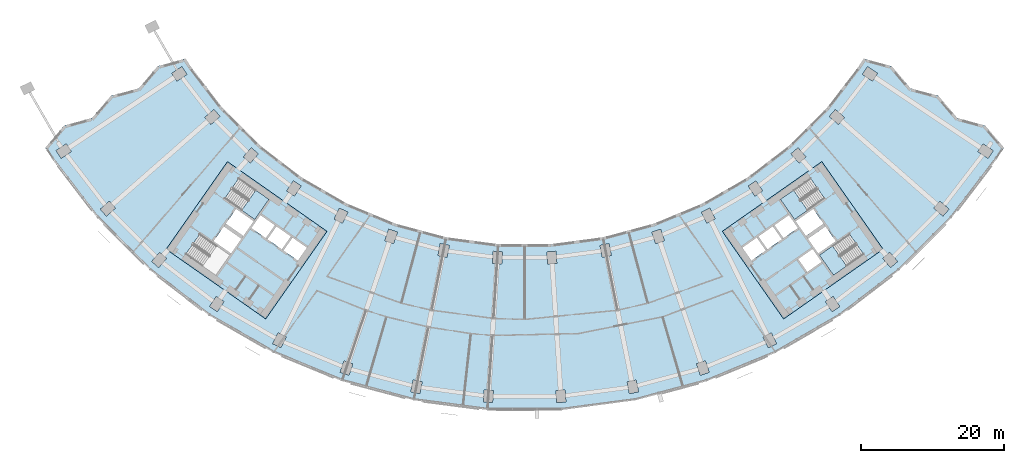
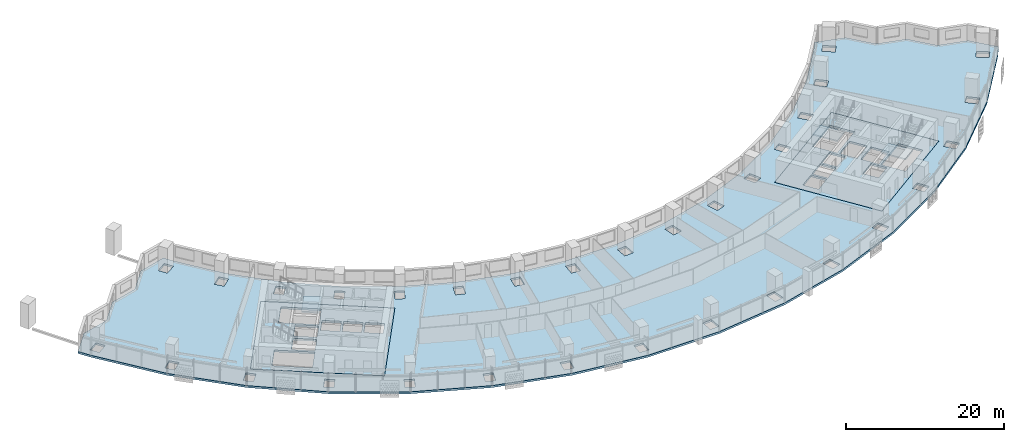
# One storey, part 2 of 29: 6 slabs, 3 elements without a shape of their own.
"""IFC4 building model written with IfcOpenShell, lengths in metres."""

from ifc_helpers import new_model, si_unit, direction, frame, origin, place, context, subcontext, project, spatial, polyline, outline, extrude, material, layer, layer_set, type_object, element, aggregate, save


model = new_model("IFC4")

# Units and contexts
model_context = context("Model", 3, precision=1e-05, world=origin(), true_north=direction((0.0, 1.0)))
body_context = subcontext(model_context, "Body", "Model", "MODEL_VIEW")
ifc_project = project(units=[si_unit("LENGTHUNIT", "METRE"), si_unit("AREAUNIT", "SQUARE_METRE"), si_unit("VOLUMEUNIT", "CUBIC_METRE"), si_unit("PLANEANGLEUNIT", "RADIAN"), si_unit("MASSUNIT", "GRAM", prefix="KILO")], contexts=[model_context])

# Site, building, storey
site_placement = place(None, origin())
site = spatial("IfcSite", under=ifc_project, at=site_placement, CompositionType="ELEMENT")
building_placement = place(site_placement, origin())
building = spatial("IfcBuilding", under=site, at=building_placement, Name="Qamariyya Broadcast Tower", CompositionType="ELEMENT")
storey_placement = place(building_placement, frame((0.0, 0.0, 44.300048828125)))
storey = spatial("IfcBuildingStorey", under=building, at=storey_placement, Name="L07", CompositionType="ELEMENT", Elevation=44.300048828125)

# Slabs
ifc_material_1 = material(Name="Concrete C40/50", Category="concrete")
ifc_layer_1 = layer(ifc_material_1, 0.300048828125)
ifc_layer_set_1 = layer_set([ifc_layer_1], Name="Core floor slab 300 mm Concrete C40/50")
slab_type_1 = type_object("IfcSlabType", Name="Core floor slab 300 mm Concrete C40/50", PredefinedType="FLOOR", material=ifc_layer_set_1)
slab_1_placement = place(storey_placement, frame((0.0, 0.0, -0.300048828125)))
element("IfcSlab", 1, at=slab_1_placement, inside=storey, type_object=slab_type_1, Name="k-W-L07-slab", PredefinedType="FLOOR", context=body_context, shape_type="SweptSolid", body=[
    extrude(outline(polyline([(-50.286376953125, -56.95751953125), (-36.32373046875, -66.734375), (-27.719970703125, -54.447021484375), (-41.6826171875, -44.67041015625), (-50.286376953125, -56.95751953125)]), holes=[polyline([(-31.80859375, -58.542724609375), (-33.8154296875, -57.137451171875), (-32.5537109375, -55.335205078125), (-30.546630859375, -56.740478515625), (-31.80859375, -58.542724609375)]), polyline([(-34.061279296875, -56.96533203125), (-36.068115234375, -55.56005859375), (-34.806396484375, -53.758056640625), (-32.79931640625, -55.163330078125), (-34.061279296875, -56.96533203125)]), polyline([(-36.31396484375, -55.387939453125), (-38.32080078125, -53.982666015625), (-37.058837890625, -52.1806640625), (-35.052001953125, -53.5859375), (-36.31396484375, -55.387939453125)]), polyline([(-39.742431640625, -55.489990234375), (-42.199951171875, -53.769287109375), (-43.6337890625, -55.817138671875), (-41.17626953125, -57.537841796875), (-39.742431640625, -55.489990234375)]), polyline([(-39.45556640625, -55.080322265625), (-41.9130859375, -53.359619140625), (-40.47900390625, -51.311767578125), (-38.021728515625, -53.032470703125), (-39.45556640625, -55.080322265625)]), polyline([(-42.06103515625, -49.837890625), (-37.849609375, -52.78662109375), (-35.870849609375, -49.960693359375), (-40.082275390625, -47.01171875), (-42.06103515625, -49.837890625)]), polyline([(-47.538818359375, -57.66064453125), (-43.3271484375, -60.609619140625), (-41.348388671875, -57.783447265625), (-45.559814453125, -54.834716796875), (-47.538818359375, -57.66064453125)])]), origin(), (0.0, 0.0, 1.0), 0.300048828125),
])
slab_2_placement = place(storey_placement, frame((0.0, 0.0, -0.300048828125)))
element("IfcSlab", 2, at=slab_2_placement, inside=storey, type_object=slab_type_1, Name="k-E-L07-slab", PredefinedType="FLOOR", context=body_context, shape_type="SweptSolid", body=[
    extrude(outline(polyline([(36.32373046875, -66.734375), (50.286376953125, -56.95751953125), (41.6826171875, -44.67041015625), (27.719970703125, -54.447021484375), (36.32373046875, -66.734375)]), holes=[polyline([(31.80859375, -58.542724609375), (33.8154296875, -57.137451171875), (32.5537109375, -55.335205078125), (30.546630859375, -56.740478515625), (31.80859375, -58.542724609375)]), polyline([(34.061279296875, -56.96533203125), (36.068115234375, -55.56005859375), (34.806396484375, -53.758056640625), (32.79931640625, -55.163330078125), (34.061279296875, -56.96533203125)]), polyline([(36.31396484375, -55.387939453125), (38.32080078125, -53.982666015625), (37.058837890625, -52.1806640625), (35.052001953125, -53.5859375), (36.31396484375, -55.387939453125)]), polyline([(38.378662109375, -58.3369140625), (40.3857421875, -56.931640625), (41.6474609375, -58.73388671875), (39.640625, -60.13916015625), (38.378662109375, -58.3369140625)]), polyline([(39.742431640625, -55.489990234375), (42.199951171875, -53.769287109375), (43.6337890625, -55.817138671875), (41.17626953125, -57.537841796875), (39.742431640625, -55.489990234375)]), polyline([(39.45556640625, -55.080322265625), (41.9130859375, -53.359619140625), (40.47900390625, -51.311767578125), (38.021728515625, -53.032470703125), (39.45556640625, -55.080322265625)]), polyline([(40.082275390625, -47.01171875), (35.870849609375, -49.960693359375), (37.849609375, -52.78662109375), (42.06103515625, -49.837890625), (40.082275390625, -47.01171875)]), polyline([(45.559814453125, -54.834716796875), (41.348388671875, -57.783447265625), (43.3271484375, -60.609619140625), (47.538818359375, -57.66064453125), (45.559814453125, -54.834716796875)])]), origin(), (0.0, 0.0, 1.0), 0.300048828125),
])
ifc_layer_2 = layer(ifc_material_1, 0.300048828125)
ifc_layer_set_2 = layer_set([ifc_layer_2], Name="Post-tensioned floor slab 300 C40/50")
slab_type_2 = type_object("IfcSlabType", Name="Post-tensioned floor slab 300 C40/50", PredefinedType="FLOOR", material=ifc_layer_set_2)
slab_3_placement = place(storey_placement, frame((0.0, 0.0, -0.300048828125)))
element("IfcSlab", 3, at=slab_3_placement, inside=storey, type_object=slab_type_2, Name="Floor slab S4 L07", PredefinedType="FLOOR", context=body_context, shape_type="SweptSolid", body=[
    extrude(outline(polyline([(-64.590576171875, -39.606201171875), (-67.233154296875, -42.706298828125), (-66.2265625, -44.251220703125), (-59.884033203125, -52.516845703125), (-52.516845703125, -59.884033203125), (-44.251220703125, -66.2265625), (-35.228271484375, -71.43603515625), (-25.6025390625, -75.423095703125), (-15.5390625, -78.11962890625), (-5.20947265625, -79.4794921875), (5.20947265625, -79.4794921875), (15.5390625, -78.11962890625), (25.6025390625, -75.423095703125), (35.228271484375, -71.43603515625), (44.251220703125, -66.2265625), (52.516845703125, -59.884033203125), (59.884033203125, -52.516845703125), (66.2265625, -44.251220703125), (67.233154296875, -42.706298828125), (64.590576171875, -39.606201171875), (60.67724609375, -38.5419921875), (58.03369140625, -35.44140625), (54.121337890625, -34.377685546875), (51.4765625, -31.2763671875), (47.5654296875, -30.21337890625), (46.853271484375, -31.306396484375), (42.3662109375, -37.154052734375), (37.154052734375, -42.3662109375), (31.306396484375, -46.853271484375), (24.9228515625, -50.538818359375), (18.113037109375, -53.359619140625), (10.993408203125, -55.267333984375), (3.685546875, -56.229248046875), (-3.685546875, -56.229248046875), (-10.993408203125, -55.267333984375), (-18.113037109375, -53.359619140625), (-24.9228515625, -50.538818359375), (-31.306396484375, -46.853271484375), (-37.154052734375, -42.3662109375), (-42.3662109375, -37.154052734375), (-46.853271484375, -31.306396484375), (-47.5654296875, -30.21337890625), (-51.4765625, -31.2763671875), (-54.121337890625, -34.377685546875), (-58.03369140625, -35.44140625), (-60.67724609375, -38.5419921875), (-64.590576171875, -39.606201171875)]), holes=[polyline([(-5.789306640625, -78.38916015625), (-5.67822265625, -76.69287109375), (-4.380859375, -76.77783203125), (-4.4921875, -78.47412109375), (-5.789306640625, -78.38916015625)]), polyline([(-15.9716796875, -76.962890625), (-15.639892578125, -75.295654296875), (-14.364990234375, -75.54931640625), (-14.696533203125, -77.216552734375), (-15.9716796875, -76.962890625)]), polyline([(-25.880615234375, -74.2197265625), (-25.334228515625, -72.610107421875), (-24.103271484375, -73.02783203125), (-24.649658203125, -74.6376953125), (-25.880615234375, -74.2197265625)]), polyline([(-35.346923828125, -70.206787109375), (-34.594970703125, -68.68212890625), (-33.428955078125, -69.257080078125), (-34.180908203125, -70.78173828125), (-35.346923828125, -70.206787109375)]), polyline([(-44.208251953125, -64.992431640625), (-43.263916015625, -63.578857421875), (-42.182861328125, -64.301025390625), (-43.12744140625, -65.714599609375), (-44.208251953125, -64.992431640625)]), polyline([(-52.313232421875, -58.666015625), (-51.1923828125, -57.387939453125), (-50.215087890625, -58.2451171875), (-51.3359375, -59.523193359375), (-52.313232421875, -58.666015625)]), polyline([(-12.167236328125, -57.837646484375), (-11.835693359375, -56.170166015625), (-10.560791015625, -56.423828125), (-10.892333984375, -58.09130859375), (-12.167236328125, -57.837646484375)]), polyline([(-41.6826171875, -44.67041015625), (-27.719970703125, -54.447021484375), (-36.32373046875, -66.734375), (-50.286376953125, -56.95751953125), (-41.6826171875, -44.67041015625)]), polyline([(-19.066162109375, -54.144775390625), (-17.835205078125, -54.562744140625), (-18.381591796875, -56.172607421875), (-19.612548828125, -55.754638671875), (-19.066162109375, -54.144775390625)]), polyline([(-26.72216796875, -52.7177734375), (-25.970458984375, -51.193115234375), (-24.804443359375, -51.76806640625), (-25.556396484375, -53.292724609375), (-26.72216796875, -52.7177734375)]), polyline([(-59.523193359375, -51.3359375), (-58.2451171875, -50.215087890625), (-57.387939453125, -51.1923828125), (-58.666015625, -52.313232421875), (-59.523193359375, -51.3359375)]), polyline([(-33.374755859375, -48.77880859375), (-32.43017578125, -47.365234375), (-31.349365234375, -48.08740234375), (-32.293701171875, -49.5009765625), (-33.374755859375, -48.77880859375)]), polyline([(-39.4560546875, -44.005126953125), (-38.335205078125, -42.72705078125), (-37.357666015625, -43.584228515625), (-38.478759765625, -44.8623046875), (-39.4560546875, -44.005126953125)]), polyline([(-65.714599609375, -43.12744140625), (-64.301025390625, -42.182861328125), (-63.578857421875, -43.263916015625), (-64.992431640625, -44.208251953125), (-65.714599609375, -43.12744140625)]), polyline([(-44.8623046875, -38.478759765625), (-43.584228515625, -37.357666015625), (-42.72705078125, -38.335205078125), (-44.005126953125, -39.4560546875), (-44.8623046875, -38.478759765625)]), polyline([(-48.08740234375, -31.349365234375), (-47.365234375, -32.43017578125), (-48.77880859375, -33.374755859375), (-49.5009765625, -32.293701171875), (-48.08740234375, -31.349365234375)]), polyline([(4.4921875, -78.47412109375), (4.380859375, -76.77783203125), (5.67822265625, -76.69287109375), (5.789306640625, -78.38916015625), (4.4921875, -78.47412109375)]), polyline([(14.696533203125, -77.216552734375), (14.364990234375, -75.54931640625), (15.639892578125, -75.295654296875), (15.9716796875, -76.962890625), (14.696533203125, -77.216552734375)]), polyline([(24.649658203125, -74.6376953125), (24.103271484375, -73.02783203125), (25.334228515625, -72.610107421875), (25.880615234375, -74.2197265625), (24.649658203125, -74.6376953125)]), polyline([(34.180908203125, -70.78173828125), (33.428955078125, -69.257080078125), (34.594970703125, -68.68212890625), (35.346923828125, -70.206787109375), (34.180908203125, -70.78173828125)]), polyline([(43.12744140625, -65.714599609375), (42.182861328125, -64.301025390625), (43.263916015625, -63.578857421875), (44.208251953125, -64.992431640625), (43.12744140625, -65.714599609375)]), polyline([(51.3359375, -59.523193359375), (50.215087890625, -58.2451171875), (51.1923828125, -57.387939453125), (52.313232421875, -58.666015625), (51.3359375, -59.523193359375)]), polyline([(3.216796875, -59.015869140625), (3.10546875, -57.319580078125), (4.40283203125, -57.234619140625), (4.513916015625, -58.930908203125), (3.216796875, -59.015869140625)]), polyline([(-4.40283203125, -57.234619140625), (-3.10546875, -57.319580078125), (-3.216796875, -59.015869140625), (-4.513916015625, -58.930908203125), (-4.40283203125, -57.234619140625)]), polyline([(10.560791015625, -56.423828125), (11.835693359375, -56.170166015625), (12.167236328125, -57.837646484375), (10.892333984375, -58.09130859375), (10.560791015625, -56.423828125)]), polyline([(36.32373046875, -66.734375), (27.719970703125, -54.447021484375), (41.6826171875, -44.67041015625), (50.286376953125, -56.95751953125), (36.32373046875, -66.734375)]), polyline([(18.381591796875, -56.172607421875), (17.835205078125, -54.562744140625), (19.066162109375, -54.144775390625), (19.612548828125, -55.754638671875), (18.381591796875, -56.172607421875)]), polyline([(25.556396484375, -53.292724609375), (24.804443359375, -51.76806640625), (25.970458984375, -51.193115234375), (26.72216796875, -52.7177734375), (25.556396484375, -53.292724609375)]), polyline([(58.666015625, -52.313232421875), (57.387939453125, -51.1923828125), (58.2451171875, -50.215087890625), (59.523193359375, -51.3359375), (58.666015625, -52.313232421875)]), polyline([(32.293701171875, -49.5009765625), (31.349365234375, -48.08740234375), (32.43017578125, -47.365234375), (33.374755859375, -48.77880859375), (32.293701171875, -49.5009765625)]), polyline([(38.478759765625, -44.8623046875), (37.357666015625, -43.584228515625), (38.335205078125, -42.72705078125), (39.4560546875, -44.005126953125), (38.478759765625, -44.8623046875)]), polyline([(64.992431640625, -44.208251953125), (63.578857421875, -43.263916015625), (64.301025390625, -42.182861328125), (65.714599609375, -43.12744140625), (64.992431640625, -44.208251953125)]), polyline([(42.72705078125, -38.335205078125), (43.584228515625, -37.357666015625), (44.8623046875, -38.478759765625), (44.005126953125, -39.4560546875), (42.72705078125, -38.335205078125)]), polyline([(47.365234375, -32.43017578125), (48.08740234375, -31.349365234375), (49.5009765625, -32.293701171875), (48.77880859375, -33.374755859375), (47.365234375, -32.43017578125)])]), origin(), (0.0, 0.0, 1.0), 0.300048828125),
])

# Stair, slab
ifc_material_2 = material(Name="Concrete C50/60", Category="concrete")
stair_type = type_object("IfcStairType", Name="Exit stair 22 risers of 173 mm", PredefinedType="HALF_TURN_STAIR", material=ifc_material_2)
stair_1_placement = place(storey_placement, origin())
stair_1 = element("IfcStair", 4, at=stair_1_placement, inside=storey, type_object=stair_type, Name="L07 Stair W2", PredefinedType="HALF_TURN_STAIR")
ifc_layer_3 = layer(ifc_material_2, 0.199951171875)
ifc_layer_set_3 = layer_set([ifc_layer_3], Name="Stair landing")
slab_type_3 = type_object("IfcSlabType", Name="Stair landing", PredefinedType="LANDING", material=ifc_layer_set_3)
slab_4_placement = place(storey_placement, frame((0.0, 0.0, 1.699951171875)))
slab_4 = element("IfcSlab", 5, at=slab_4_placement, type_object=slab_type_3, Name="ST-W2 landing 1", PredefinedType="LANDING", context=body_context, shape_type="SweptSolid", body=[
    extrude(outline(polyline([(-39.692138671875, -51.49658203125), (-37.849609375, -52.78662109375), (-35.870849609375, -49.960693359375), (-37.71337890625, -48.67041015625), (-39.692138671875, -51.49658203125)])), origin(), (0.0, 0.0, 1.0), 0.199951171875),
])
aggregate(stair_1, [slab_4])

stair_2_placement = place(storey_placement, origin())
stair_2 = element("IfcStair", 6, at=stair_2_placement, inside=storey, type_object=stair_type, Name="L07 Stair E2", PredefinedType="HALF_TURN_STAIR")
slab_5_placement = place(storey_placement, frame((0.0, 0.0, 1.699951171875)))
slab_5 = element("IfcSlab", 7, at=slab_5_placement, type_object=slab_type_3, Name="ST-E2 landing 1", PredefinedType="LANDING", context=body_context, shape_type="SweptSolid", body=[
    extrude(outline(polyline([(37.71337890625, -48.67041015625), (35.870849609375, -49.960693359375), (37.849609375, -52.78662109375), (39.692138671875, -51.49658203125), (37.71337890625, -48.67041015625)])), origin(), (0.0, 0.0, 1.0), 0.199951171875),
])
aggregate(stair_2, [slab_5])

stair_3_placement = place(storey_placement, origin())
stair_3 = element("IfcStair", 8, at=stair_3_placement, inside=storey, type_object=stair_type, Name="L07 Stair E1", PredefinedType="HALF_TURN_STAIR")
slab_6_placement = place(storey_placement, frame((0.0, 0.0, 1.699951171875)))
slab_6 = element("IfcSlab", 9, at=slab_6_placement, type_object=slab_type_3, Name="ST-E1 landing 1", PredefinedType="LANDING", context=body_context, shape_type="SweptSolid", body=[
    extrude(outline(polyline([(43.19091796875, -56.493408203125), (41.348388671875, -57.783447265625), (43.3271484375, -60.609619140625), (45.169677734375, -59.319580078125), (43.19091796875, -56.493408203125)])), origin(), (0.0, 0.0, 1.0), 0.199951171875),
])
aggregate(stair_3, [slab_6])

save(model, "model.ifc")
